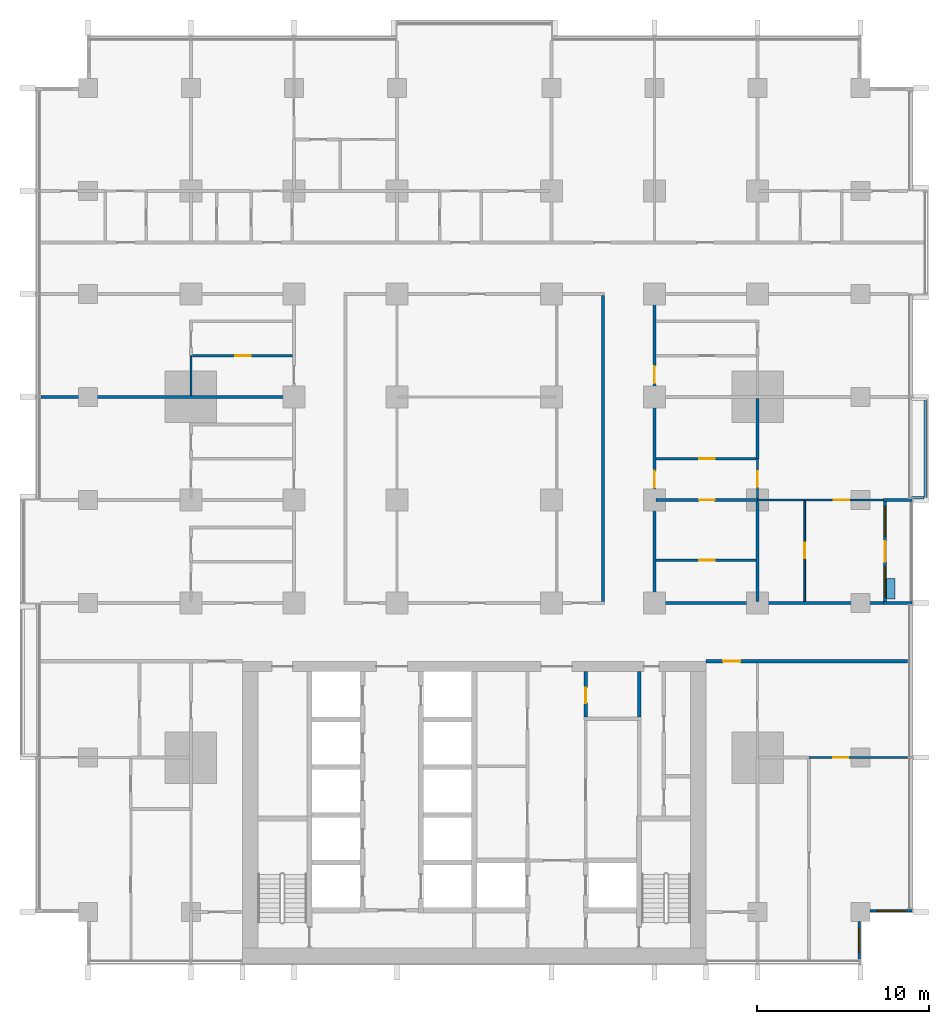
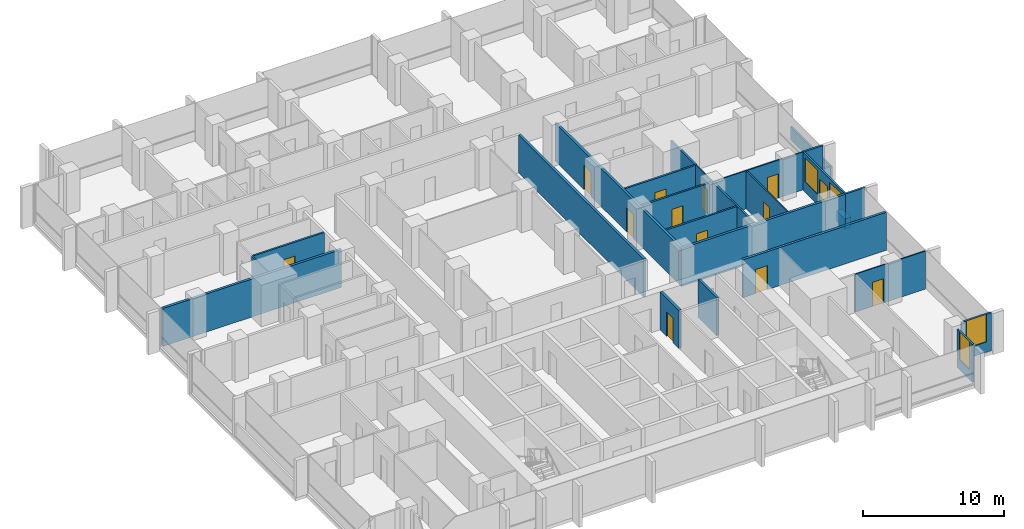
# One storey, part 10 of 17: 26 walls, 13 doors, 4 windows, 17 openings.
"""IFC4 building model written with IfcOpenShell, lengths in metres."""

from ifc_helpers import new_model, si_unit, direction, frame, frame_2d, origin, place, context, subcontext, project, spatial, rectangle, extrude, material, layer, layer_set, type_object, element, fill, save


model = new_model("IFC4")

# Units and contexts
model_context = context("Model", 3, precision=1e-05, world=origin(), true_north=direction((0.0, 1.0)))
body_context = subcontext(model_context, "Body", "Model", "MODEL_VIEW")
ifc_project = project(units=[si_unit("LENGTHUNIT", "METRE"), si_unit("AREAUNIT", "SQUARE_METRE"), si_unit("VOLUMEUNIT", "CUBIC_METRE"), si_unit("PLANEANGLEUNIT", "RADIAN"), si_unit("MASSUNIT", "GRAM", prefix="KILO")], contexts=[model_context])

# Site, building, storey
site_placement = place(None, origin())
site = spatial("IfcSite", under=ifc_project, at=site_placement, CompositionType="ELEMENT")
building_placement = place(site_placement, origin())
building = spatial("IfcBuilding", under=site, at=building_placement, Name="Finial Court Residences", CompositionType="ELEMENT")
storey_placement = place(building_placement, frame((0.0, 0.0, 64.89990234375)))
storey = spatial("IfcBuildingStorey", under=building, at=storey_placement, Name="L15", CompositionType="ELEMENT", Elevation=64.89990234375)

# Wall
ifc_material_1 = material(Name="Gypsum board")
ifc_layer_1 = layer(ifc_material_1, 0.02490234375)
ifc_material_2 = material(Name="Acoustic mineral wool in double frame")
ifc_layer_2 = layer(ifc_material_2, 0.14990234375)
ifc_layer_3 = layer(ifc_material_1, 0.02490234375)
ifc_layer_set_1 = layer_set([ifc_layer_1, ifc_layer_2, ifc_layer_3], Name="Acoustic party wall 200, 1 hour")
wall_type_1 = type_object("IfcWallType", Name="Acoustic party wall 200, 1 hour", PredefinedType="PARTITIONING", material=ifc_layer_set_1)
wall_1_placement = place(storey_placement, frame((-25.25, 7.5, 0.0), z_axis=(0.0, 0.0, 1.0), x_axis=(1.0, 0.0, 0.0)))
element("IfcWall", 1, at=wall_1_placement, inside=storey, type_object=wall_type_1, Name="Partition L15-022", PredefinedType="PARTITIONING", context=body_context, shape_type="SweptSolid", body=[
    extrude(rectangle(XDim=14.64990234375, YDim=0.199951171875, at=frame_2d((7.324951171875, 0.0))), origin(), (0.0, 0.0, 1.0), 3.300048828125),
])

# Wall, opening, door
ifc_layer_4 = layer(ifc_material_1, 0.02490234375)
ifc_layer_5 = layer(ifc_material_2, 0.14990234375)
ifc_layer_6 = layer(ifc_material_1, 0.02490234375)
ifc_layer_set_2 = layer_set([ifc_layer_4, ifc_layer_5, ifc_layer_6], Name="Corridor wall 200, 1 hour")
wall_type_2 = type_object("IfcWallType", Name="Corridor wall 200, 1 hour", PredefinedType="PARTITIONING", material=ifc_layer_set_2)
wall_2_placement = place(storey_placement, frame((13.5, -7.89990234375, 0.0), z_axis=(0.0, 0.0, 1.0), x_axis=(1.0, 0.0, 0.0)))
wall_2 = element("IfcWall", 2, at=wall_2_placement, inside=storey, type_object=wall_type_2, Name="Partition L15-008", PredefinedType="PARTITIONING", context=body_context, shape_type="SweptSolid", body=[
    extrude(rectangle(XDim=11.75, YDim=0.199951171875, at=frame_2d((5.875, 0.0))), origin(), (0.0, 0.0, 1.0), 3.300048828125),
])
opening_1_placement = place(wall_2_placement, frame((1.0, 0.0, 0.0)))
opening_1 = element("IfcOpeningElement", 3, at=opening_1_placement, cuts=wall_2, Name="Opening L15-D006", PredefinedType="OPENING", context=body_context, shape_type="SweptSolid", body=[
    extrude(rectangle(XDim=1.0, YDim=2.10009765625, at=frame_2d((0.5, 1.050048828125))), frame((0.0, 0.10986328125, 0.0), z_axis=(0.0, -1.0, 0.0), x_axis=(1.0, 0.0, 0.0)), (0.0, 0.0, 1.0), 0.219970703125),
])
ifc_material_3 = material(Name="Timber door leaf in hollow metal frame", Category="wood")
door_type_1 = type_object("IfcDoorType", Name="Fire door set 1000 x 2100, 30 minutes", OperationType="SINGLE_SWING_LEFT", PredefinedType="DOOR", material=ifc_material_3)
door_1_placement = place(opening_1_placement, origin())
door_1 = element("IfcDoor", 4, at=door_1_placement, inside=storey, type_object=door_type_1, Name="Door L15-D006", OperationType="SINGLE_SWING_LEFT", OverallHeight=2.10009765625, OverallWidth=1.0, PredefinedType="DOOR", context=body_context, shape_type="SweptSolid", body=[
    extrude(rectangle(XDim=1.0, YDim=2.10009765625, at=frame_2d((0.5, 1.050048828125))), frame((0.0, 0.02490234375, 0.0), z_axis=(0.0, -1.0, 0.0), x_axis=(1.0, 0.0, 0.0)), (0.0, 0.0, 1.0), 0.050048828125),
])
fill(opening_1, door_1)

# Walls
wall_3_placement = place(storey_placement, frame((10.39990234375, -4.5, 0.0), z_axis=(0.0, 0.0, 1.0), x_axis=(1.0, 0.0, 0.0)))
element("IfcWall", 5, at=wall_3_placement, inside=storey, type_object=wall_type_2, Name="Partition L15-011", PredefinedType="PARTITIONING", context=body_context, shape_type="SweptSolid", body=[
    extrude(rectangle(XDim=13.4501953125, YDim=0.199951171875, at=frame_2d((6.72509765625, 0.0))), origin(), (0.0, 0.0, 1.0), 3.300048828125),
])
wall_4_placement = place(storey_placement, frame((7.5, -4.39990234375, 0.0), z_axis=(0.0, 0.0, 1.0), x_axis=(0.0, 1.0, 0.0)))
element("IfcWall", 6, at=wall_4_placement, inside=storey, type_object=wall_type_2, Name="Partition L15-075", PredefinedType="PARTITIONING", context=body_context, shape_type="SweptSolid", body=[
    extrude(rectangle(XDim=17.7998046875, YDim=0.199951171875, at=frame_2d((8.89990234375, 0.0))), origin(), (0.0, 0.0, 1.0), 3.300048828125),
])

# Wall, openings, doors
wall_5_placement = place(storey_placement, frame((10.5, -4.39990234375, 0.0), z_axis=(0.0, 0.0, 1.0), x_axis=(0.0, 1.0, 0.0)))
wall_5 = element("IfcWall", 7, at=wall_5_placement, inside=storey, type_object=wall_type_2, Name="Partition L15-076", PredefinedType="PARTITIONING", context=body_context, shape_type="SweptSolid", body=[
    extrude(rectangle(XDim=17.7998046875, YDim=0.199951171875, at=frame_2d((8.89990234375, 0.0))), origin(), (0.0, 0.0, 1.0), 3.300048828125),
])
opening_2_placement = place(wall_5_placement, frame((6.60009765625, 0.0, 0.0)))
opening_2 = element("IfcOpeningElement", 8, at=opening_2_placement, cuts=wall_5, Name="Opening L15-D050", PredefinedType="OPENING", context=body_context, shape_type="SweptSolid", body=[
    extrude(rectangle(XDim=1.0, YDim=2.10009765625, at=frame_2d((0.5, 1.050048828125))), frame((0.0, 0.10986328125, 0.0), z_axis=(0.0, -1.0, 0.0), x_axis=(1.0, 0.0, 0.0)), (0.0, 0.0, 1.0), 0.219970703125),
])
opening_3_placement = place(wall_5_placement, frame((12.699951171875, 0.0, 0.0)))
opening_3 = element("IfcOpeningElement", 9, at=opening_3_placement, cuts=wall_5, Name="Opening L15-D051", PredefinedType="OPENING", context=body_context, shape_type="SweptSolid", body=[
    extrude(rectangle(XDim=1.0, YDim=2.10009765625, at=frame_2d((0.5, 1.050048828125))), frame((0.0, 0.10986328125, 0.0), z_axis=(0.0, -1.0, 0.0), x_axis=(1.0, 0.0, 0.0)), (0.0, 0.0, 1.0), 0.219970703125),
])
door_2_placement = place(opening_2_placement, origin())
door_2 = element("IfcDoor", 10, at=door_2_placement, inside=storey, type_object=door_type_1, Name="Door L15-D050", OperationType="SINGLE_SWING_LEFT", OverallHeight=2.10009765625, OverallWidth=1.0, PredefinedType="DOOR", context=body_context, shape_type="SweptSolid", body=[
    extrude(rectangle(XDim=1.0, YDim=2.10009765625, at=frame_2d((0.5, 1.050048828125))), frame((0.0, 0.02490234375, 0.0), z_axis=(0.0, -1.0, 0.0), x_axis=(1.0, 0.0, 0.0)), (0.0, 0.0, 1.0), 0.050048828125),
])
fill(opening_2, door_2)
door_3_placement = place(opening_3_placement, origin())
door_3 = element("IfcDoor", 11, at=door_3_placement, inside=storey, type_object=door_type_1, Name="Door L15-D051", OperationType="SINGLE_SWING_RIGHT", OverallHeight=2.10009765625, OverallWidth=1.0, PredefinedType="DOOR", context=body_context, shape_type="SweptSolid", body=[
    extrude(rectangle(XDim=1.0, YDim=2.10009765625, at=frame_2d((0.5, 1.050048828125))), frame((0.0, 0.02490234375, 0.0), z_axis=(0.0, -1.0, 0.0), x_axis=(1.0, 0.0, 0.0)), (0.0, 0.0, 1.0), 0.050048828125),
])
fill(opening_3, door_3)

# Wall, opening, door
ifc_layer_7 = layer(ifc_material_1, 0.012451171875)
ifc_material_4 = material(Name="Mineral wool in light-gauge frame")
ifc_layer_8 = layer(ifc_material_4, 0.074951171875)
ifc_layer_9 = layer(ifc_material_1, 0.012451171875)
ifc_layer_set_3 = layer_set([ifc_layer_7, ifc_layer_8, ifc_layer_9], Name="Gypsum board partition 100")
wall_type_3 = type_object("IfcWallType", Name="Gypsum board partition 100", PredefinedType="PARTITIONING", material=ifc_layer_set_3)
wall_6_placement = place(storey_placement, frame((19.5, -13.5, 0.0), z_axis=(0.0, 0.0, 1.0), x_axis=(1.0, 0.0, 0.0)))
wall_6 = element("IfcWall", 12, at=wall_6_placement, inside=storey, type_object=wall_type_3, Name="Partition L15-004", PredefinedType="PARTITIONING", context=body_context, shape_type="SweptSolid", body=[
    extrude(rectangle(XDim=5.75, YDim=0.10009765625, at=frame_2d((2.875, 0.0))), origin(), (0.0, 0.0, 1.0), 3.300048828125),
])
opening_4_placement = place(wall_6_placement, frame((1.39990234375, 0.0, 0.0)))
opening_4 = element("IfcOpeningElement", 13, at=opening_4_placement, cuts=wall_6, Name="Opening L15-D004", PredefinedType="OPENING", context=body_context, shape_type="SweptSolid", body=[
    extrude(rectangle(XDim=0.89990234375, YDim=2.10009765625, at=frame_2d((0.449951171875, 1.050048828125))), frame((0.0, 0.06005859375, 0.0), z_axis=(0.0, -1.0, 0.0), x_axis=(1.0, 0.0, 0.0)), (0.0, 0.0, 1.0), 0.1201171875),
])
ifc_material_5 = material(Name="Timber door leaf in timber frame", Category="wood")
door_type_2 = type_object("IfcDoorType", Name="Door set 900 x 2100", OperationType="SINGLE_SWING_LEFT", PredefinedType="DOOR", material=ifc_material_5)
door_4_placement = place(opening_4_placement, origin())
door_4 = element("IfcDoor", 14, at=door_4_placement, inside=storey, type_object=door_type_2, Name="Door L15-D004", OperationType="SINGLE_SWING_LEFT", OverallHeight=2.10009765625, OverallWidth=0.89990234375, PredefinedType="DOOR", context=body_context, shape_type="SweptSolid", body=[
    extrude(rectangle(XDim=0.89990234375, YDim=2.10009765625, at=frame_2d((0.449951171875, 1.050048828125))), frame((0.0, 0.02490234375, 0.0), z_axis=(0.0, -1.0, 0.0), x_axis=(1.0, 0.0, 0.0)), (0.0, 0.0, 1.0), 0.050048828125),
])
fill(opening_4, door_4)

wall_7_placement = place(storey_placement, frame((16.5, 1.5, 0.0), z_axis=(0.0, 0.0, 1.0), x_axis=(1.0, 0.0, 0.0)))
wall_7 = element("IfcWall", 15, at=wall_7_placement, inside=storey, type_object=wall_type_3, Name="Partition L15-015", PredefinedType="PARTITIONING", context=body_context, shape_type="SweptSolid", body=[
    extrude(rectangle(XDim=7.35009765625, YDim=0.10009765625, at=frame_2d((3.675048828125, 0.0))), origin(), (0.0, 0.0, 1.0), 3.300048828125),
])
opening_5_placement = place(wall_7_placement, frame((4.449951171875, 0.0, 0.0)))
opening_5 = element("IfcOpeningElement", 16, at=opening_5_placement, cuts=wall_7, Name="Opening L15-D012", PredefinedType="OPENING", context=body_context, shape_type="SweptSolid", body=[
    extrude(rectangle(XDim=0.89990234375, YDim=2.10009765625, at=frame_2d((0.449951171875, 1.050048828125))), frame((0.0, 0.06005859375, 0.0), z_axis=(0.0, -1.0, 0.0), x_axis=(1.0, 0.0, 0.0)), (0.0, 0.0, 1.0), 0.1201171875),
])
door_5_placement = place(opening_5_placement, origin())
door_5 = element("IfcDoor", 17, at=door_5_placement, inside=storey, type_object=door_type_2, Name="Door L15-D012", OperationType="SINGLE_SWING_RIGHT", OverallHeight=2.10009765625, OverallWidth=0.89990234375, PredefinedType="DOOR", context=body_context, shape_type="SweptSolid", body=[
    extrude(rectangle(XDim=0.89990234375, YDim=2.10009765625, at=frame_2d((0.449951171875, 1.050048828125))), frame((0.0, 0.02490234375, 0.0), z_axis=(0.0, -1.0, 0.0), x_axis=(1.0, 0.0, 0.0)), (0.0, 0.0, 1.0), 0.050048828125),
])
fill(opening_5, door_5)

# Wall
wall_8_placement = place(storey_placement, frame((-16.5, 7.60009765625, 0.0), z_axis=(0.0, 0.0, 1.0), x_axis=(0.0, 1.0, 0.0)))
element("IfcWall", 18, at=wall_8_placement, inside=storey, type_object=wall_type_3, Name="Partition L15-052", PredefinedType="PARTITIONING", context=body_context, shape_type="SweptSolid", body=[
    extrude(rectangle(XDim=2.2998046875, YDim=0.10009765625, at=frame_2d((1.14990234375, 0.0))), origin(), (0.0, 0.0, 1.0), 3.300048828125),
])

# Wall, opening, door
wall_9_placement = place(storey_placement, frame((16.5, 1.574951171875, 0.0), z_axis=(0.0, 0.0, 1.0), x_axis=(0.0, 1.0, 0.0)))
wall_9 = element("IfcWall", 19, at=wall_9_placement, inside=storey, type_object=wall_type_3, Name="Partition L15-080", PredefinedType="PARTITIONING", context=body_context, shape_type="SweptSolid", body=[
    extrude(rectangle(XDim=2.324951171875, YDim=0.10009765625, at=frame_2d((1.16259765625, 0.0))), origin(), (0.0, 0.0, 1.0), 3.300048828125),
])
opening_6_placement = place(wall_9_placement, frame((0.699951171875, 0.0, 0.0)))
opening_6 = element("IfcOpeningElement", 20, at=opening_6_placement, cuts=wall_9, Name="Opening L15-D053", PredefinedType="OPENING", context=body_context, shape_type="SweptSolid", body=[
    extrude(rectangle(XDim=0.89990234375, YDim=2.10009765625, at=frame_2d((0.449951171875, 1.050048828125))), frame((0.0, 0.06005859375, 0.0), z_axis=(0.0, -1.0, 0.0), x_axis=(1.0, 0.0, 0.0)), (0.0, 0.0, 1.0), 0.1201171875),
])
door_6_placement = place(opening_6_placement, origin())
door_6 = element("IfcDoor", 21, at=door_6_placement, inside=storey, type_object=door_type_2, Name="Door L15-D053", OperationType="SINGLE_SWING_RIGHT", OverallHeight=2.10009765625, OverallWidth=0.89990234375, PredefinedType="DOOR", context=body_context, shape_type="SweptSolid", body=[
    extrude(rectangle(XDim=0.89990234375, YDim=2.10009765625, at=frame_2d((0.449951171875, 1.050048828125))), frame((0.0, 0.02490234375, 0.0), z_axis=(0.0, -1.0, 0.0), x_axis=(1.0, 0.0, 0.0)), (0.0, 0.0, 1.0), 0.050048828125),
])
fill(opening_6, door_6)

wall_10_placement = place(storey_placement, frame((19.25, -4.39990234375, 0.0), z_axis=(0.0, 0.0, 1.0), x_axis=(0.0, 1.0, 0.0)))
wall_10 = element("IfcWall", 22, at=wall_10_placement, inside=storey, type_object=wall_type_3, Name="Partition L15-087", PredefinedType="PARTITIONING", context=body_context, shape_type="SweptSolid", body=[
    extrude(rectangle(XDim=5.849853515625, YDim=0.10009765625, at=frame_2d((2.9248046875, 0.0))), origin(), (0.0, 0.0, 1.0), 3.300048828125),
])
opening_7_placement = place(wall_10_placement, frame((2.5, 0.0, 0.0)))
opening_7 = element("IfcOpeningElement", 23, at=opening_7_placement, cuts=wall_10, Name="Opening L15-D056", PredefinedType="OPENING", context=body_context, shape_type="SweptSolid", body=[
    extrude(rectangle(XDim=0.89990234375, YDim=2.10009765625, at=frame_2d((0.449951171875, 1.050048828125))), frame((0.0, 0.06005859375, 0.0), z_axis=(0.0, -1.0, 0.0), x_axis=(1.0, 0.0, 0.0)), (0.0, 0.0, 1.0), 0.1201171875),
])
door_7_placement = place(opening_7_placement, origin())
door_7 = element("IfcDoor", 24, at=door_7_placement, inside=storey, type_object=door_type_2, Name="Door L15-D056", OperationType="SINGLE_SWING_LEFT", OverallHeight=2.10009765625, OverallWidth=0.89990234375, PredefinedType="DOOR", context=body_context, shape_type="SweptSolid", body=[
    extrude(rectangle(XDim=0.89990234375, YDim=2.10009765625, at=frame_2d((0.449951171875, 1.050048828125))), frame((0.0, 0.02490234375, 0.0), z_axis=(0.0, -1.0, 0.0), x_axis=(1.0, 0.0, 0.0)), (0.0, 0.0, 1.0), 0.050048828125),
])
fill(opening_7, door_7)

ifc_material_6 = material(Name="Moisture-resistant gypsum board")
ifc_layer_10 = layer(ifc_material_6, 0.012451171875)
ifc_layer_11 = layer(ifc_material_4, 0.125)
ifc_layer_12 = layer(ifc_material_6, 0.012451171875)
ifc_layer_set_4 = layer_set([ifc_layer_10, ifc_layer_11, ifc_layer_12], Name="Gypsum board wet-area partition 150")
wall_type_4 = type_object("IfcWallType", Name="Gypsum board wet-area partition 150", PredefinedType="PARTITIONING", material=ifc_layer_set_4)
wall_11_placement = place(storey_placement, frame((10.60009765625, -2.0, 0.0), z_axis=(0.0, 0.0, 1.0), x_axis=(1.0, 0.0, 0.0)))
wall_11 = element("IfcWall", 25, at=wall_11_placement, inside=storey, type_object=wall_type_4, Name="Partition L15-013", PredefinedType="PARTITIONING", context=body_context, shape_type="SweptSolid", body=[
    extrude(rectangle(XDim=5.824951171875, YDim=0.14990234375, at=frame_2d((2.91259765625, 0.0))), origin(), (0.0, 0.0, 1.0), 3.300048828125),
])
opening_8_placement = place(wall_11_placement, frame((2.5, 0.0, 0.0)))
opening_8 = element("IfcOpeningElement", 26, at=opening_8_placement, cuts=wall_11, Name="Opening L15-D011", PredefinedType="OPENING", context=body_context, shape_type="SweptSolid", body=[
    extrude(rectangle(XDim=0.89990234375, YDim=2.10009765625, at=frame_2d((0.449951171875, 1.050048828125))), frame((0.0, 0.0849609375, 0.0), z_axis=(0.0, -1.0, 0.0), x_axis=(1.0, 0.0, 0.0)), (0.0, 0.0, 1.0), 0.169921875),
])
door_8_placement = place(opening_8_placement, origin())
door_8 = element("IfcDoor", 27, at=door_8_placement, inside=storey, type_object=door_type_2, Name="Door L15-D011", OperationType="SINGLE_SWING_LEFT", OverallHeight=2.10009765625, OverallWidth=0.89990234375, PredefinedType="DOOR", context=body_context, shape_type="SweptSolid", body=[
    extrude(rectangle(XDim=0.89990234375, YDim=2.10009765625, at=frame_2d((0.449951171875, 1.050048828125))), frame((0.0, 0.02490234375, 0.0), z_axis=(0.0, -1.0, 0.0), x_axis=(1.0, 0.0, 0.0)), (0.0, 0.0, 1.0), 0.050048828125),
])
fill(opening_8, door_8)

wall_12_placement = place(storey_placement, frame((10.60009765625, 1.5, 0.0), z_axis=(0.0, 0.0, 1.0), x_axis=(1.0, 0.0, 0.0)))
wall_12 = element("IfcWall", 28, at=wall_12_placement, inside=storey, type_object=wall_type_4, Name="Partition L15-017", PredefinedType="PARTITIONING", context=body_context, shape_type="SweptSolid", body=[
    extrude(rectangle(XDim=5.89990234375, YDim=0.14990234375, at=frame_2d((2.949951171875, 0.0))), origin(), (0.0, 0.0, 1.0), 3.300048828125),
])
opening_9_placement = place(wall_12_placement, frame((2.5, 0.0, 0.0)))
opening_9 = element("IfcOpeningElement", 29, at=opening_9_placement, cuts=wall_12, Name="Opening L15-D013", PredefinedType="OPENING", context=body_context, shape_type="SweptSolid", body=[
    extrude(rectangle(XDim=0.89990234375, YDim=2.10009765625, at=frame_2d((0.449951171875, 1.050048828125))), frame((0.0, 0.0849609375, 0.0), z_axis=(0.0, -1.0, 0.0), x_axis=(1.0, 0.0, 0.0)), (0.0, 0.0, 1.0), 0.169921875),
])
door_9_placement = place(opening_9_placement, origin())
door_9 = element("IfcDoor", 30, at=door_9_placement, inside=storey, type_object=door_type_2, Name="Door L15-D013", OperationType="SINGLE_SWING_RIGHT", OverallHeight=2.10009765625, OverallWidth=0.89990234375, PredefinedType="DOOR", context=body_context, shape_type="SweptSolid", body=[
    extrude(rectangle(XDim=0.89990234375, YDim=2.10009765625, at=frame_2d((0.449951171875, 1.050048828125))), frame((0.0, 0.02490234375, 0.0), z_axis=(0.0, -1.0, 0.0), x_axis=(1.0, 0.0, 0.0)), (0.0, 0.0, 1.0), 0.050048828125),
])
fill(opening_9, door_9)

wall_13_placement = place(storey_placement, frame((10.60009765625, 3.89990234375, 0.0), z_axis=(0.0, 0.0, 1.0), x_axis=(1.0, 0.0, 0.0)))
wall_13 = element("IfcWall", 31, at=wall_13_placement, inside=storey, type_object=wall_type_4, Name="Partition L15-019", PredefinedType="PARTITIONING", context=body_context, shape_type="SweptSolid", body=[
    extrude(rectangle(XDim=5.824951171875, YDim=0.14990234375, at=frame_2d((2.91259765625, 0.0))), origin(), (0.0, 0.0, 1.0), 3.300048828125),
])
opening_10_placement = place(wall_13_placement, frame((2.5, 0.0, 0.0)))
opening_10 = element("IfcOpeningElement", 32, at=opening_10_placement, cuts=wall_13, Name="Opening L15-D014", PredefinedType="OPENING", context=body_context, shape_type="SweptSolid", body=[
    extrude(rectangle(XDim=0.89990234375, YDim=2.10009765625, at=frame_2d((0.449951171875, 1.050048828125))), frame((0.0, 0.0849609375, 0.0), z_axis=(0.0, -1.0, 0.0), x_axis=(1.0, 0.0, 0.0)), (0.0, 0.0, 1.0), 0.169921875),
])
door_10_placement = place(opening_10_placement, origin())
door_10 = element("IfcDoor", 33, at=door_10_placement, inside=storey, type_object=door_type_2, Name="Door L15-D014", OperationType="SINGLE_SWING_LEFT", OverallHeight=2.10009765625, OverallWidth=0.89990234375, PredefinedType="DOOR", context=body_context, shape_type="SweptSolid", body=[
    extrude(rectangle(XDim=0.89990234375, YDim=2.10009765625, at=frame_2d((0.449951171875, 1.050048828125))), frame((0.0, 0.02490234375, 0.0), z_axis=(0.0, -1.0, 0.0), x_axis=(1.0, 0.0, 0.0)), (0.0, 0.0, 1.0), 0.050048828125),
])
fill(opening_10, door_10)

wall_14_placement = place(storey_placement, frame((-16.425048828125, 9.89990234375, 0.0), z_axis=(0.0, 0.0, 1.0), x_axis=(1.0, 0.0, 0.0)))
wall_14 = element("IfcWall", 34, at=wall_14_placement, inside=storey, type_object=wall_type_4, Name="Partition L15-024", PredefinedType="PARTITIONING", context=body_context, shape_type="SweptSolid", body=[
    extrude(rectangle(XDim=5.824951171875, YDim=0.14990234375, at=frame_2d((2.91259765625, 0.0))), origin(), (0.0, 0.0, 1.0), 3.300048828125),
])
opening_11_placement = place(wall_14_placement, frame((2.5, 0.0, 0.0)))
opening_11 = element("IfcOpeningElement", 35, at=opening_11_placement, cuts=wall_14, Name="Opening L15-D015", PredefinedType="OPENING", context=body_context, shape_type="SweptSolid", body=[
    extrude(rectangle(XDim=0.89990234375, YDim=2.10009765625, at=frame_2d((0.449951171875, 1.050048828125))), frame((0.0, 0.0849609375, 0.0), z_axis=(0.0, -1.0, 0.0), x_axis=(1.0, 0.0, 0.0)), (0.0, 0.0, 1.0), 0.169921875),
])
door_11_placement = place(opening_11_placement, origin())
door_11 = element("IfcDoor", 36, at=door_11_placement, inside=storey, type_object=door_type_2, Name="Door L15-D015", OperationType="SINGLE_SWING_RIGHT", OverallHeight=2.10009765625, OverallWidth=0.89990234375, PredefinedType="DOOR", context=body_context, shape_type="SweptSolid", body=[
    extrude(rectangle(XDim=0.89990234375, YDim=2.10009765625, at=frame_2d((0.449951171875, 1.050048828125))), frame((0.0, 0.02490234375, 0.0), z_axis=(0.0, -1.0, 0.0), x_axis=(1.0, 0.0, 0.0)), (0.0, 0.0, 1.0), 0.050048828125),
])
fill(opening_11, door_11)

# Walls
wall_15_placement = place(storey_placement, frame((16.5, -4.39990234375, 0.0), z_axis=(0.0, 0.0, 1.0), x_axis=(0.0, 1.0, 0.0)))
element("IfcWall", 37, at=wall_15_placement, inside=storey, type_object=wall_type_4, Name="Partition L15-083", PredefinedType="PARTITIONING", context=body_context, shape_type="SweptSolid", body=[
    extrude(rectangle(XDim=5.824951171875, YDim=0.14990234375, at=frame_2d((2.91259765625, 0.0))), origin(), (0.0, 0.0, 1.0), 3.300048828125),
])
wall_16_placement = place(storey_placement, frame((16.5, 3.89990234375, 0.0), z_axis=(0.0, 0.0, 1.0), x_axis=(0.0, 1.0, 0.0)))
element("IfcWall", 38, at=wall_16_placement, inside=storey, type_object=wall_type_4, Name="Partition L15-084", PredefinedType="PARTITIONING", context=body_context, shape_type="SweptSolid", body=[
    extrude(rectangle(XDim=3.5, YDim=0.14990234375, at=frame_2d((1.75, 0.0))), origin(), (0.0, 0.0, 1.0), 3.300048828125),
])
ifc_material_7 = material(Name="Concrete C35/45", Category="concrete")
ifc_layer_13 = layer(ifc_material_7, 0.14990234375)
ifc_layer_set_5 = layer_set([ifc_layer_13], Name="Ledge parapet, Concrete C35/45 150")
wall_type_5 = type_object("IfcWallType", Name="Ledge parapet, Concrete C35/45 150", PredefinedType="PARAPET", material=ifc_layer_set_5)
wall_17_placement = place(storey_placement, frame((26.27490234375, 7.300048828125, 0.0), z_axis=(0.0, 0.0, 1.0), x_axis=(0.0, -1.0, 0.0)))
element("IfcWall", 39, at=wall_17_placement, inside=storey, type_object=wall_type_5, Name="E-L15-LED1-P2", PredefinedType="PARAPET", context=body_context, shape_type="SweptSolid", body=[
    extrude(rectangle(XDim=5.75, YDim=0.14990234375, at=frame_2d((2.875, 0.0))), origin(), (0.0, 0.0, 1.0), 1.150146484375),
])
wall_18_placement = place(storey_placement, frame((26.199951171875, 1.625, 0.0), z_axis=(0.0, 0.0, 1.0), x_axis=(-1.0, 0.0, 0.0)))
element("IfcWall", 40, at=wall_18_placement, inside=storey, type_object=wall_type_5, Name="E-L15-LED1-P3", PredefinedType="PARAPET", context=body_context, shape_type="SweptSolid", body=[
    extrude(rectangle(XDim=0.739990234375, YDim=0.14990234375, at=frame_2d((0.3701171875, 0.0))), origin(), (0.0, 0.0, 1.0), 1.150146484375),
])

# Wall, opening, window
ifc_material_8 = material(Name="Natural limestone", Category="masonry")
ifc_layer_14 = layer(ifc_material_8, 0.14990234375)
ifc_layer_set_6 = layer_set([ifc_layer_14], Name="Limestone clad wall 150")
wall_type_6 = type_object("IfcWallType", Name="Limestone clad wall 150", PredefinedType="SOLIDWALL", material=ifc_layer_set_6)
wall_19_placement = place(storey_placement, frame((22.425048828125, -23.050048828125, 0.0), z_axis=(0.0, 0.0, 1.0), x_axis=(0.0, -1.0, 0.0)))
wall_19 = element("IfcWall", 41, at=wall_19_placement, inside=storey, type_object=wall_type_6, Name="E-L15-NWE15", PredefinedType="SOLIDWALL", context=body_context, shape_type="SweptSolid", body=[
    extrude(rectangle(XDim=2.199951171875, YDim=0.14990234375, at=frame_2d((1.10009765625, 0.0))), origin(), (0.0, 0.0, 1.0), 3.300048828125),
])
opening_12_placement = place(wall_19_placement, frame((0.39990234375, 0.0, 0.89990234375)))
opening_12 = element("IfcOpeningElement", 42, at=opening_12_placement, cuts=wall_19, Name="Opening WE15-03", PredefinedType="OPENING", context=body_context, shape_type="SweptSolid", body=[
    extrude(rectangle(XDim=1.39990234375, YDim=2.39990234375, at=frame_2d((0.699951171875, 1.199951171875))), frame((0.0, 0.0849609375, 0.0), z_axis=(0.0, -1.0, 0.0), x_axis=(1.0, 0.0, 0.0)), (0.0, 0.0, 1.0), 0.169921875),
])
ifc_material_9 = material(Name="Clear low-e glass", Category="glass")
window_type_1 = type_object("IfcWindowType", Name="Corner window 1400 x 2400", PartitioningType="SINGLE_PANEL", PredefinedType="WINDOW", material=ifc_material_9)
window_1_placement = place(opening_12_placement, origin())
window_1 = element("IfcWindow", 43, at=window_1_placement, inside=storey, type_object=window_type_1, Name="E-L15-NWE15-W1", OverallHeight=2.39990234375, OverallWidth=1.39990234375, PartitioningType="SINGLE_PANEL", PredefinedType="WINDOW", context=body_context, shape_type="SweptSolid", body=[
    extrude(rectangle(XDim=1.39990234375, YDim=2.39990234375, at=frame_2d((0.699951171875, 1.199951171875))), frame((0.0, 0.030029296875, 0.0), z_axis=(0.0, -1.0, 0.0), x_axis=(1.0, 0.0, 0.0)), (0.0, 0.0, 1.0), 0.06005859375),
])
fill(opening_12, window_1)

wall_20_placement = place(storey_placement, frame((25.5, -22.425048828125, 0.0), z_axis=(0.0, 0.0, 1.0), x_axis=(-1.0, 0.0, 0.0)))
wall_20 = element("IfcWall", 44, at=wall_20_placement, inside=storey, type_object=wall_type_6, Name="E-L15-NWS16", PredefinedType="SOLIDWALL", context=body_context, shape_type="SweptSolid", body=[
    extrude(rectangle(XDim=2.449951171875, YDim=0.14990234375, at=frame_2d((1.22509765625, 0.0))), origin(), (0.0, 0.0, 1.0), 3.300048828125),
])
opening_13_placement = place(wall_20_placement, frame((0.39990234375, 0.0, 0.89990234375)))
opening_13 = element("IfcOpeningElement", 45, at=opening_13_placement, cuts=wall_20, Name="Opening WE15-04", PredefinedType="OPENING", context=body_context, shape_type="SweptSolid", body=[
    extrude(rectangle(XDim=1.64990234375, YDim=2.39990234375, at=frame_2d((0.824951171875, 1.199951171875))), frame((0.0, 0.0849609375, 0.0), z_axis=(0.0, -1.0, 0.0), x_axis=(1.0, 0.0, 0.0)), (0.0, 0.0, 1.0), 0.169921875),
])
window_type_2 = type_object("IfcWindowType", Name="Corner window 1650 x 2400", PartitioningType="SINGLE_PANEL", PredefinedType="WINDOW", material=ifc_material_9)
window_2_placement = place(opening_13_placement, origin())
window_2 = element("IfcWindow", 46, at=window_2_placement, inside=storey, type_object=window_type_2, Name="E-L15-NWS16-W1", OverallHeight=2.39990234375, OverallWidth=1.64990234375, PartitioningType="SINGLE_PANEL", PredefinedType="WINDOW", context=body_context, shape_type="SweptSolid", body=[
    extrude(rectangle(XDim=1.64990234375, YDim=2.39990234375, at=frame_2d((0.824951171875, 1.199951171875))), frame((0.0, 0.030029296875, 0.0), z_axis=(0.0, -1.0, 0.0), x_axis=(1.0, 0.0, 0.0)), (0.0, 0.0, 1.0), 0.06005859375),
])
fill(opening_13, window_2)

# Walls
for number, where, z_axis, x_axis, name in (
    (47, (23.85009765625, -4.5, 0.0), (0.0, 0.0, 1.0), (1.0, 0.0, 0.0), "E-L15-BALE3-P1"),
    (48, (23.85009765625, 1.5, 0.0), (0.0, 0.0, 1.0), (1.0, 0.0, 0.0), "E-L15-BALE3-P2"),
):
    element("IfcWall", number, at=place(storey_placement, frame(where, z_axis=z_axis, x_axis=x_axis)), inside=storey, type_object=wall_type_6, Name=name, PredefinedType="SOLIDWALL", context=body_context, shape_type="SweptSolid", body=[
        extrude(rectangle(XDim=1.64990234375, YDim=0.14990234375, at=frame_2d((0.824951171875, 0.0))), origin(), (0.0, 0.0, 1.0), 3.300048828125),
    ])

# Wall, openings, door, windows
wall_21_placement = place(storey_placement, frame((23.925048828125, 1.425048828125, 0.0), z_axis=(0.0, 0.0, 1.0), x_axis=(0.0, -1.0, 0.0)))
wall_21 = element("IfcWall", 49, at=wall_21_placement, inside=storey, type_object=wall_type_6, Name="E-L15-L15-BALE3-W", PredefinedType="SOLIDWALL", context=body_context, shape_type="SweptSolid", body=[
    extrude(rectangle(XDim=5.85009765625, YDim=0.14990234375, at=frame_2d((2.925048828125, 0.0))), origin(), (0.0, 0.0, 1.0), 3.300048828125),
])
opening_14_placement = place(wall_21_placement, frame((2.324951171875, 0.0, 0.0)))
opening_14 = element("IfcOpeningElement", 50, at=opening_14_placement, cuts=wall_21, Name="Opening DE15-01", PredefinedType="OPENING", context=body_context, shape_type="SweptSolid", body=[
    extrude(rectangle(XDim=1.199951171875, YDim=2.39990234375, at=frame_2d((0.60009765625, 1.199951171875))), frame((0.0, 0.0849609375, 0.0), z_axis=(0.0, -1.0, 0.0), x_axis=(1.0, 0.0, 0.0)), (0.0, 0.0, 1.0), 0.169921875),
])
opening_15_placement = place(wall_21_placement, frame((3.78759765625, 0.0, 0.89990234375)))
opening_15 = element("IfcOpeningElement", 51, at=opening_15_placement, cuts=wall_21, Name="Opening WE15-09", PredefinedType="OPENING", context=body_context, shape_type="SweptSolid", body=[
    extrude(rectangle(XDim=1.800048828125, YDim=2.10009765625, at=frame_2d((0.89990234375, 1.050048828125))), frame((0.0, 0.0849609375, 0.0), z_axis=(0.0, -1.0, 0.0), x_axis=(1.0, 0.0, 0.0)), (0.0, 0.0, 1.0), 0.169921875),
])
opening_16_placement = place(wall_21_placement, frame((0.262451171875, 0.0, 0.89990234375)))
opening_16 = element("IfcOpeningElement", 52, at=opening_16_placement, cuts=wall_21, Name="Opening WE15-10", PredefinedType="OPENING", context=body_context, shape_type="SweptSolid", body=[
    extrude(rectangle(XDim=1.800048828125, YDim=2.10009765625, at=frame_2d((0.89990234375, 1.050048828125))), frame((0.0, 0.0849609375, 0.0), z_axis=(0.0, -1.0, 0.0), x_axis=(1.0, 0.0, 0.0)), (0.0, 0.0, 1.0), 0.169921875),
])
ifc_material_10 = material(Name="Bronze anodised aluminium", Category="aluminium")
door_type_3 = type_object("IfcDoorType", Name="Balcony door 1200 x 2400", OperationType="SINGLE_SWING_LEFT", PredefinedType="DOOR", material=ifc_material_10)
door_12_placement = place(opening_14_placement, origin())
door_12 = element("IfcDoor", 53, at=door_12_placement, inside=storey, type_object=door_type_3, Name="E-L15-L15-BALE3-W-D", OperationType="SINGLE_SWING_LEFT", OverallHeight=2.39990234375, OverallWidth=1.199951171875, PredefinedType="DOOR", context=body_context, shape_type="SweptSolid", body=[
    extrude(rectangle(XDim=1.199951171875, YDim=2.39990234375, at=frame_2d((0.60009765625, 1.199951171875))), frame((0.0, 0.02490234375, 0.0), z_axis=(0.0, -1.0, 0.0), x_axis=(1.0, 0.0, 0.0)), (0.0, 0.0, 1.0), 0.050048828125),
])
fill(opening_14, door_12)
window_type_3 = type_object("IfcWindowType", Name="Balcony window 1800 x 2100", PartitioningType="SINGLE_PANEL", PredefinedType="WINDOW", material=ifc_material_9)
window_3_placement = place(opening_15_placement, origin())
window_3 = element("IfcWindow", 54, at=window_3_placement, inside=storey, type_object=window_type_3, Name="E-L15-L15-BALE3-W-W1", OverallHeight=2.10009765625, OverallWidth=1.800048828125, PartitioningType="SINGLE_PANEL", PredefinedType="WINDOW", context=body_context, shape_type="SweptSolid", body=[
    extrude(rectangle(XDim=1.800048828125, YDim=2.10009765625, at=frame_2d((0.89990234375, 1.050048828125))), frame((0.0, 0.030029296875, 0.0), z_axis=(0.0, -1.0, 0.0), x_axis=(1.0, 0.0, 0.0)), (0.0, 0.0, 1.0), 0.06005859375),
])
fill(opening_15, window_3)
window_4_placement = place(opening_16_placement, origin())
window_4 = element("IfcWindow", 55, at=window_4_placement, inside=storey, type_object=window_type_3, Name="E-L15-L15-BALE3-W-W2", OverallHeight=2.10009765625, OverallWidth=1.800048828125, PartitioningType="SINGLE_PANEL", PredefinedType="WINDOW", context=body_context, shape_type="SweptSolid", body=[
    extrude(rectangle(XDim=1.800048828125, YDim=2.10009765625, at=frame_2d((0.89990234375, 1.050048828125))), frame((0.0, 0.030029296875, 0.0), z_axis=(0.0, -1.0, 0.0), x_axis=(1.0, 0.0, 0.0)), (0.0, 0.0, 1.0), 0.06005859375),
])
fill(opening_16, window_4)

# Wall
ifc_material_11 = material(Name="Concrete C40/50", Category="concrete")
ifc_layer_15 = layer(ifc_material_11, 0.10009765625)
ifc_material_12 = material(Name="Planting soil", Category="soil")
ifc_layer_16 = layer(ifc_material_12, 0.300048828125)
ifc_layer_17 = layer(ifc_material_11, 0.10009765625)
ifc_layer_set_7 = layer_set([ifc_layer_15, ifc_layer_16, ifc_layer_17], Name="Planter wall, balcony")
wall_type_7 = type_object("IfcWallType", Name="Planter wall, balcony", PredefinedType="USERDEFINED", material=ifc_layer_set_7)
wall_22_placement = place(storey_placement, frame((24.25, -4.27490234375, 0.0), z_axis=(0.0, 0.0, 1.0), x_axis=(0.0, 1.0, 0.0)))
element("IfcWall", 56, at=wall_22_placement, inside=storey, type_object=wall_type_7, Name="E-L15-BALE3-PL", ObjectType="PLANTER", PredefinedType="USERDEFINED", context=body_context, shape_type="SweptSolid", body=[
    extrude(rectangle(XDim=1.199951171875, YDim=0.5, at=frame_2d((0.60009765625, 0.0))), origin(), (0.0, 0.0, 1.0), 0.900146484375),
])

# Wall, opening, door
ifc_material_13 = material(Name="Fire-rated gypsum board partition")
ifc_layer_18 = layer(ifc_material_13, 0.199951171875)
ifc_layer_set_8 = layer_set([ifc_layer_18], Name="Riser room wall 200 EI 120")
wall_type_8 = type_object("IfcWallType", Name="Riser room wall 200 EI 120", PredefinedType="PARTITIONING", material=ifc_layer_set_8)
wall_23_placement = place(storey_placement, frame((6.5, -8.5, 0.0), z_axis=(0.0, 0.0, 1.0), x_axis=(0.0, -1.0, 0.0)))
wall_23 = element("IfcWall", 57, at=wall_23_placement, inside=storey, type_object=wall_type_8, Name="Core partition L15-33", PredefinedType="PARTITIONING", context=body_context, shape_type="SweptSolid", body=[
    extrude(rectangle(XDim=2.64990234375, YDim=0.199951171875, at=frame_2d((1.324951171875, 0.0))), origin(), (0.0, 0.0, 1.0), 3.300048828125),
])
opening_17_placement = place(wall_23_placement, frame((0.925048828125, 0.0, 0.0)))
opening_17 = element("IfcOpeningElement", 58, at=opening_17_placement, cuts=wall_23, Name="Opening L15-C08", PredefinedType="OPENING", context=body_context, shape_type="SweptSolid", body=[
    extrude(rectangle(XDim=0.89990234375, YDim=2.10009765625, at=frame_2d((0.449951171875, 1.050048828125))), frame((0.0, 0.10986328125, 0.0), z_axis=(0.0, -1.0, 0.0), x_axis=(1.0, 0.0, 0.0)), (0.0, 0.0, 1.0), 0.219970703125),
])
ifc_material_14 = material(Name="Steel fire door", Category="steel")
door_type_4 = type_object("IfcDoorType", Name="Riser room door 900 x 2100 EI 90", OperationType="NOTDEFINED", PredefinedType="DOOR", material=ifc_material_14)
door_13_placement = place(opening_17_placement, origin())
door_13 = element("IfcDoor", 59, at=door_13_placement, inside=storey, type_object=door_type_4, Name="Riser room door L15-C08", OperationType="SINGLE_SWING_RIGHT", OverallHeight=2.10009765625, OverallWidth=0.89990234375, PredefinedType="DOOR", context=body_context, shape_type="SweptSolid", body=[
    extrude(rectangle(XDim=0.89990234375, YDim=2.10009765625, at=frame_2d((0.449951171875, 1.050048828125))), frame((0.0, 0.02490234375, 0.0), z_axis=(0.0, -1.0, 0.0), x_axis=(1.0, 0.0, 0.0)), (0.0, 0.0, 1.0), 0.050048828125),
])
fill(opening_17, door_13)

# Wall
wall_24_placement = place(storey_placement, frame((9.60009765625, -11.14990234375, 0.0), z_axis=(0.0, 0.0, 1.0), x_axis=(0.0, 1.0, 0.0)))
element("IfcWall", 60, at=wall_24_placement, inside=storey, type_object=wall_type_8, Name="Core partition L15-36", PredefinedType="PARTITIONING", context=body_context, shape_type="SweptSolid", body=[
    extrude(rectangle(XDim=2.64990234375, YDim=0.199951171875, at=frame_2d((1.324951171875, 0.0))), origin(), (0.0, 0.0, 1.0), 3.300048828125),
])

save(model, "model.ifc")
